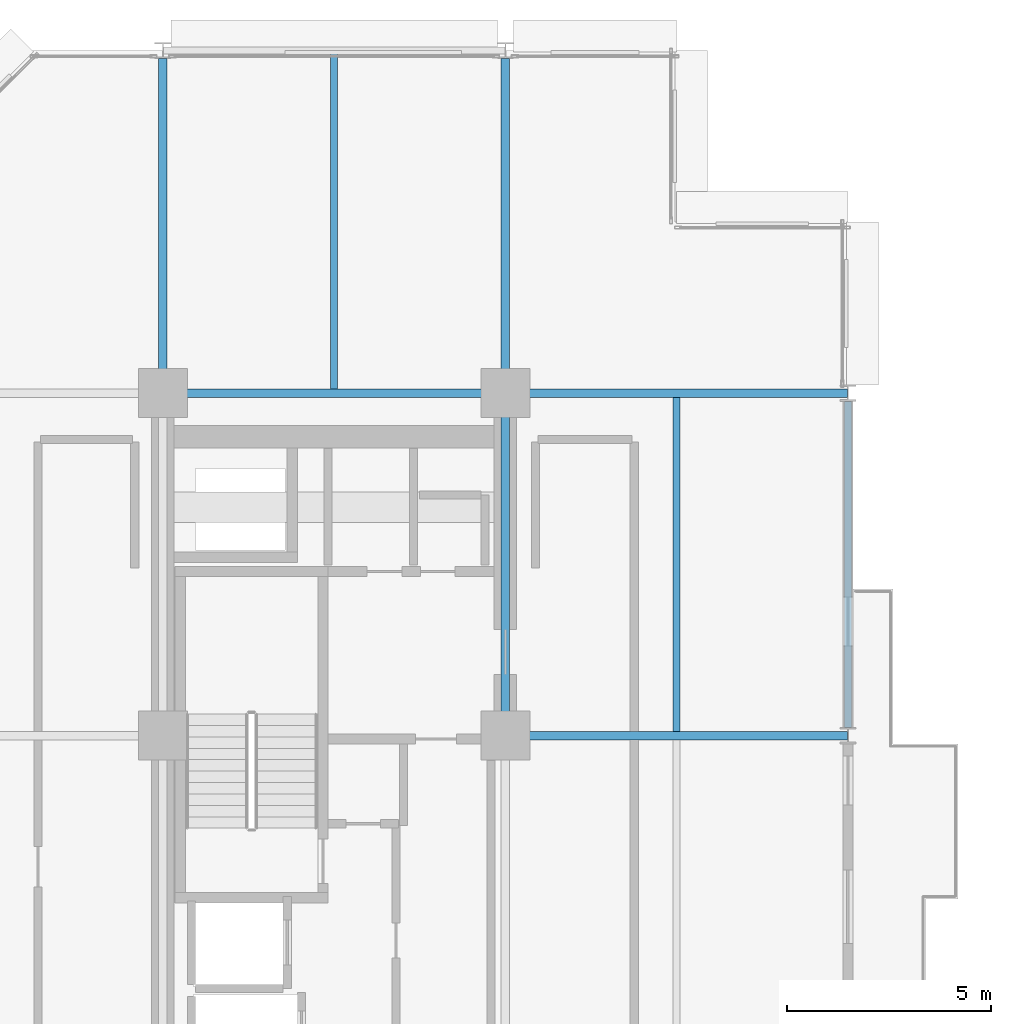
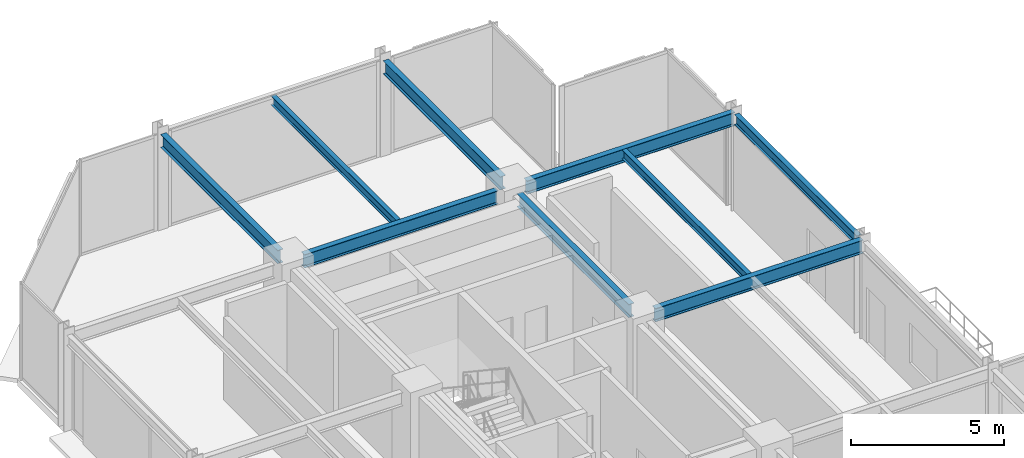
# One storey, part 19 of 30: 9 beams.
"""IFC4 building model written with IfcOpenShell, lengths in metres."""

from ifc_helpers import new_model, si_unit, direction, frame, origin, origin_2d, place, context, subcontext, project, spatial, i_section, extrude, material, material_profile, profile_set, type_object, element, save


model = new_model("IFC4")

# Units and contexts
model_context = context("Model", 3, precision=1e-05, world=origin(), true_north=direction((0.0, 1.0)))
body_context = subcontext(model_context, "Body", "Model", "MODEL_VIEW")
ifc_project = project(units=[si_unit("LENGTHUNIT", "METRE"), si_unit("AREAUNIT", "SQUARE_METRE"), si_unit("VOLUMEUNIT", "CUBIC_METRE"), si_unit("PLANEANGLEUNIT", "RADIAN"), si_unit("MASSUNIT", "GRAM", prefix="KILO")], contexts=[model_context])

# Site, building, storey
site_placement = place(None, origin())
site = spatial("IfcSite", under=ifc_project, at=site_placement, CompositionType="ELEMENT")
building_placement = place(site_placement, origin())
building = spatial("IfcBuilding", under=site, at=building_placement, Name="Nerrivon Quay Data Exchange", CompositionType="ELEMENT")
storey_placement = place(building_placement, frame((0.0, 0.0, 141.800048828125)))
storey = spatial("IfcBuildingStorey", under=building, at=storey_placement, Name="L33", CompositionType="ELEMENT", Elevation=141.800048828125)

# Beams
ifc_material = material(Name="Steel Grade 350", Category="steel")
ifc_material_profile_1 = material_profile(ifc_material, i_section(OverallWidth=0.208984375, OverallDepth=0.532958984375, WebThickness=0.01025390625, FlangeThickness=0.015625, FilletRadius=0.013916015625, at=origin_2d()), Name="530UB92.4")
ifc_profile_set_1 = profile_set([ifc_material_profile_1], Name="Steel Grade 350")
beam_type_1 = type_object("IfcBeamType", Name="BM-G3-530UB92", PredefinedType="BEAM", material=ifc_profile_set_1)
beam_1_placement = place(storey_placement, frame((17.340087890625, 33.60009765625, 3.558349609375), z_axis=(1.0, 0.0, 0.0), x_axis=(0.0, 1.0, 0.0)))
element("IfcBeam", 1, at=beam_1_placement, inside=storey, type_object=beam_type_1, Name="L33 EW Girder Y=33.6 (16.8..25.2)", PredefinedType="BEAM", context=body_context, shape_type="SweptSolid", body=[
    extrude(i_section(OverallWidth=0.208984375, OverallDepth=0.532958984375, WebThickness=0.01025390625, FlangeThickness=0.015625, FilletRadius=0.013916015625, at=origin_2d()), origin(), (0.0, 0.0, 1.0), 7.847412109375),
])
beam_2_placement = place(storey_placement, frame((8.93994140625, 42.0, 3.558349609375), z_axis=(1.0, 0.0, 0.0), x_axis=(0.0, 1.0, 0.0)))
element("IfcBeam", 2, at=beam_2_placement, inside=storey, type_object=beam_type_1, Name="L33 EW Girder Y=42.0 (8.4..16.8)", PredefinedType="BEAM", context=body_context, shape_type="SweptSolid", body=[
    extrude(i_section(OverallWidth=0.208984375, OverallDepth=0.532958984375, WebThickness=0.01025390625, FlangeThickness=0.015625, FilletRadius=0.013916015625, at=origin_2d()), origin(), (0.0, 0.0, 1.0), 7.320068359375),
])
beam_3_placement = place(storey_placement, frame((17.340087890625, 42.0, 3.558349609375), z_axis=(1.0, 0.0, 0.0), x_axis=(0.0, 1.0, 0.0)))
element("IfcBeam", 3, at=beam_3_placement, inside=storey, type_object=beam_type_1, Name="L33 EW Girder Y=42.0 (16.8..25.2)", PredefinedType="BEAM", context=body_context, shape_type="SweptSolid", body=[
    extrude(i_section(OverallWidth=0.208984375, OverallDepth=0.532958984375, WebThickness=0.01025390625, FlangeThickness=0.015625, FilletRadius=0.013916015625, at=origin_2d()), origin(), (0.0, 0.0, 1.0), 7.847412109375),
])
ifc_material_profile_2 = material_profile(ifc_material, i_section(OverallWidth=0.208984375, OverallDepth=0.528076171875, WebThickness=0.009521484375, FlangeThickness=0.01318359375, FilletRadius=0.013916015625, at=origin_2d()), Name="530UB82.0")
ifc_profile_set_2 = profile_set([ifc_material_profile_2], Name="Steel Grade 350")
beam_type_2 = type_object("IfcBeamType", Name="BM-G4-530UB82", PredefinedType="BEAM", material=ifc_profile_set_2)
beam_4_placement = place(storey_placement, frame((8.39990234375, 42.5400390625, 3.56103515625), z_axis=(0.0, 1.0, 0.0), x_axis=(-1.0, 0.0, 0.0)))
element("IfcBeam", 4, at=beam_4_placement, inside=storey, type_object=beam_type_2, Name="L33 NS Girder X=8.4 (42.0..50.4)", PredefinedType="BEAM", context=body_context, shape_type="SweptSolid", body=[
    extrude(i_section(OverallWidth=0.208984375, OverallDepth=0.528076171875, WebThickness=0.009521484375, FlangeThickness=0.01318359375, FilletRadius=0.013916015625, at=origin_2d()), origin(), (0.0, 0.0, 1.0), 7.659912109375),
])
beam_5_placement = place(storey_placement, frame((16.800048828125, 34.139892578125, 3.56103515625), z_axis=(0.0, 1.0, 0.0), x_axis=(-1.0, 0.0, 0.0)))
element("IfcBeam", 5, at=beam_5_placement, inside=storey, type_object=beam_type_2, Name="L33 NS Girder X=16.8 (33.6..42.0)", PredefinedType="BEAM", context=body_context, shape_type="SweptSolid", body=[
    extrude(i_section(OverallWidth=0.208984375, OverallDepth=0.528076171875, WebThickness=0.009521484375, FlangeThickness=0.01318359375, FilletRadius=0.013916015625, at=origin_2d()), origin(), (0.0, 0.0, 1.0), 7.320068359375),
])
beam_6_placement = place(storey_placement, frame((16.800048828125, 42.5400390625, 3.56103515625), z_axis=(0.0, 1.0, 0.0), x_axis=(-1.0, 0.0, 0.0)))
element("IfcBeam", 6, at=beam_6_placement, inside=storey, type_object=beam_type_2, Name="L33 NS Girder X=16.8 (42.0..50.4)", PredefinedType="BEAM", context=body_context, shape_type="SweptSolid", body=[
    extrude(i_section(OverallWidth=0.208984375, OverallDepth=0.528076171875, WebThickness=0.009521484375, FlangeThickness=0.01318359375, FilletRadius=0.013916015625, at=origin_2d()), origin(), (0.0, 0.0, 1.0), 7.659912109375),
])
ifc_material_profile_3 = material_profile(ifc_material, i_section(OverallWidth=0.1708984375, OverallDepth=0.35595703125, WebThickness=0.00732421875, FlangeThickness=0.011474609375, FilletRadius=0.011474609375, at=origin_2d()), Name="360UB50.7")
ifc_profile_set_3 = profile_set([ifc_material_profile_3], Name="Steel Grade 350")
beam_type_3 = type_object("IfcBeamType", Name="BM-J4-360UB51", PredefinedType="JOIST", material=ifc_profile_set_3)
beam_7_placement = place(storey_placement, frame((12.60009765625, 42.1044921875, 3.64697265625), z_axis=(0.0, 1.0, 0.0), x_axis=(-1.0, 0.0, 0.0)))
element("IfcBeam", 7, at=beam_7_placement, inside=storey, type_object=beam_type_3, Name="L33 Secondary Joist X=12.6 (42.0..50.4)", PredefinedType="JOIST", context=body_context, shape_type="SweptSolid", body=[
    extrude(i_section(OverallWidth=0.1708984375, OverallDepth=0.35595703125, WebThickness=0.00732421875, FlangeThickness=0.011474609375, FilletRadius=0.011474609375, at=origin_2d()), origin(), (0.0, 0.0, 1.0), 8.20654296875),
])
beam_8_placement = place(storey_placement, frame((21.0, 33.70458984375, 3.64697265625), z_axis=(0.0, 1.0, 0.0), x_axis=(-1.0, 0.0, 0.0)))
element("IfcBeam", 8, at=beam_8_placement, inside=storey, type_object=beam_type_3, Name="L33 Secondary Joist X=21.0 (33.6..42.0)", PredefinedType="JOIST", context=body_context, shape_type="SweptSolid", body=[
    extrude(i_section(OverallWidth=0.1708984375, OverallDepth=0.35595703125, WebThickness=0.00732421875, FlangeThickness=0.011474609375, FilletRadius=0.011474609375, at=origin_2d()), origin(), (0.0, 0.0, 1.0), 8.19091796875),
])
ifc_material_profile_4 = material_profile(ifc_material, i_section(OverallWidth=0.177978515625, OverallDepth=0.403076171875, WebThickness=0.007568359375, FlangeThickness=0.010986328125, FilletRadius=0.011474609375, at=origin_2d()), Name="410UB53.7")
ifc_profile_set_4 = profile_set([ifc_material_profile_4], Name="Steel Grade 350")
beam_type_4 = type_object("IfcBeamType", Name="BM-SP2-410UB54", PredefinedType="SPANDREL", material=ifc_profile_set_4)
beam_9_placement = place(storey_placement, frame((25.199951171875, 33.800048828125, 3.62353515625), z_axis=(0.0, 1.0, 0.0), x_axis=(-1.0, 0.0, 0.0)))
element("IfcBeam", 9, at=beam_9_placement, inside=storey, type_object=beam_type_4, Name="L33 NS Girder X=25.2 (33.6..42.0)", PredefinedType="SPANDREL", context=body_context, shape_type="SweptSolid", body=[
    extrude(i_section(OverallWidth=0.177978515625, OverallDepth=0.403076171875, WebThickness=0.007568359375, FlangeThickness=0.010986328125, FilletRadius=0.011474609375, at=origin_2d()), origin(), (0.0, 0.0, 1.0), 8.0),
])

save(model, "model.ifc")
